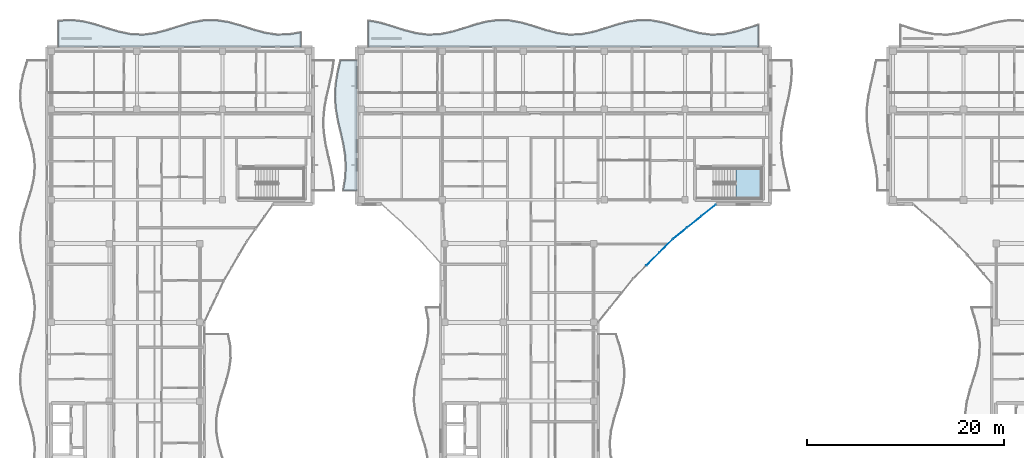
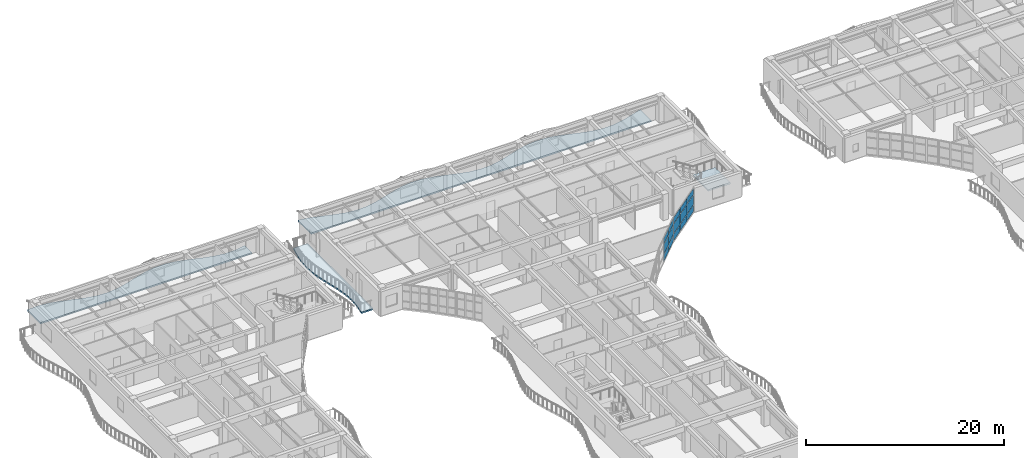
# One storey, part 40 of 89: 15 plates, 4 slabs, 3 elements without a shape of their own.
"""IFC4 building model written with IfcOpenShell, lengths in metres."""

from ifc_helpers import new_model, si_unit, direction, frame, origin, origin_2d, place, context, subcontext, project, spatial, polyline, rectangle, outline, extrude, material, layer, layer_set, type_object, element, aggregate, save


model = new_model("IFC4")

# Units and contexts
model_context = context("Model", 3, precision=1e-05, world=origin(), true_north=direction((0.0, 1.0)))
body_context = subcontext(model_context, "Body", "Model", "MODEL_VIEW")
ifc_project = project(units=[si_unit("LENGTHUNIT", "METRE"), si_unit("AREAUNIT", "SQUARE_METRE"), si_unit("VOLUMEUNIT", "CUBIC_METRE"), si_unit("PLANEANGLEUNIT", "RADIAN"), si_unit("MASSUNIT", "GRAM", prefix="KILO")], contexts=[model_context])

# Site, building, storey
site_placement = place(None, origin())
site = spatial("IfcSite", under=ifc_project, at=site_placement, CompositionType="ELEMENT")
building_placement = place(site_placement, origin())
building = spatial("IfcBuilding", under=site, at=building_placement, Name="Keldmere Railside Commons", CompositionType="ELEMENT")
storey_placement = place(building_placement, frame((0.0, 0.0, 7.360107421875)))
storey = spatial("IfcBuildingStorey", under=building, at=storey_placement, Name="L02", CompositionType="ELEMENT", Elevation=7.360107421875)

# Curtain wall, plates
ifc_material_1 = material(Name="Thermally Broken Aluminium", Category="aluminium")
ifc_layer_1 = layer(ifc_material_1, 0.159912109375, Name="Court Chord Wintergarden CW 5400x2850")
ifc_layer_set_1 = layer_set([ifc_layer_1], Name="Thermally Broken Aluminium")
curtain_wall_type_1 = type_object("IfcCurtainWallType", Name="Court Chord Wintergarden CW 5400x2850", PredefinedType="NOTDEFINED", material=ifc_layer_set_1)
curtain_wall_1_placement = place(storey_placement, origin())
curtain_wall_1 = element("IfcCurtainWall", 1, at=curtain_wall_1_placement, inside=storey, type_object=curtain_wall_type_1, Name="CW-13 CW-L02-038", PredefinedType="NOTDEFINED")
ifc_material_2 = material(Name="Low-E Insulated Double Glazing", Category="glass")
ifc_layer_2 = layer(ifc_material_2, 0.031982421875, Name="Clerestory Solar-Control Vision Panel 32")
ifc_layer_set_2 = layer_set([ifc_layer_2], Name="Low-E Insulated Double Glazing")
plate_type_1 = type_object("IfcPlateType", Name="Clerestory Solar-Control Vision Panel 32", PredefinedType="CURTAIN_PANEL", material=ifc_layer_set_2)
plate_1_placement = place(storey_placement, frame((70.88916015625, 95.76513671875, 0.06494140625), z_axis=(0.0, 0.0, 1.0), x_axis=(-0.707106781187, -0.707106781187, 0.0)))
plate_1 = element("IfcPlate", 2, at=plate_1_placement, type_object=plate_type_1, Name="CW-13 panel 1.1", PredefinedType="CURTAIN_PANEL", context=body_context, shape_type="SweptSolid", body=[
    extrude(rectangle(XDim=1.795654296875, YDim=0.031982421875, at=origin_2d()), origin(), (0.0, 0.0, 1.0), 0.802490234375),
])
plate_2_placement = place(storey_placement, frame((70.88916015625, 95.76513671875, 0.932373046875), z_axis=(0.0, 0.0, 1.0), x_axis=(-0.707106781187, -0.707106781187, 0.0)))
plate_2 = element("IfcPlate", 3, at=plate_2_placement, type_object=plate_type_1, Name="CW-13 panel 1.2", PredefinedType="CURTAIN_PANEL", context=body_context, shape_type="SweptSolid", body=[
    extrude(rectangle(XDim=1.795654296875, YDim=0.031982421875, at=origin_2d()), origin(), (0.0, 0.0, 1.0), 1.18505859375),
])
plate_3_placement = place(storey_placement, frame((70.88916015625, 95.76513671875, 2.182373046875), z_axis=(0.0, 0.0, 1.0), x_axis=(-0.707106781187, -0.707106781187, 0.0)))
plate_3 = element("IfcPlate", 4, at=plate_3_placement, type_object=plate_type_1, Name="CW-13 panel 1.3", PredefinedType="CURTAIN_PANEL", context=body_context, shape_type="SweptSolid", body=[
    extrude(rectangle(XDim=1.795654296875, YDim=0.031982421875, at=origin_2d()), origin(), (0.0, 0.0, 1.0), 0.732421875),
])
plate_4_placement = place(storey_placement, frame((69.56201171875, 94.43798828125, 0.06494140625), z_axis=(0.0, 0.0, 1.0), x_axis=(-0.707106781187, -0.707106781187, 0.0)))
plate_4 = element("IfcPlate", 5, at=plate_4_placement, type_object=plate_type_1, Name="CW-13 panel 2.1", PredefinedType="CURTAIN_PANEL", context=body_context, shape_type="SweptSolid", body=[
    extrude(rectangle(XDim=1.828125, YDim=0.031982421875, at=origin_2d()), origin(), (0.0, 0.0, 1.0), 0.802490234375),
])
plate_5_placement = place(storey_placement, frame((69.56201171875, 94.43798828125, 0.932373046875), z_axis=(0.0, 0.0, 1.0), x_axis=(-0.707106781187, -0.707106781187, 0.0)))
plate_5 = element("IfcPlate", 6, at=plate_5_placement, type_object=plate_type_1, Name="CW-13 panel 2.2", PredefinedType="CURTAIN_PANEL", context=body_context, shape_type="SweptSolid", body=[
    extrude(rectangle(XDim=1.828125, YDim=0.031982421875, at=origin_2d()), origin(), (0.0, 0.0, 1.0), 1.18505859375),
])
plate_6_placement = place(storey_placement, frame((69.56201171875, 94.43798828125, 2.182373046875), z_axis=(0.0, 0.0, 1.0), x_axis=(-0.707106781187, -0.707106781187, 0.0)))
plate_6 = element("IfcPlate", 7, at=plate_6_placement, type_object=plate_type_1, Name="CW-13 panel 2.3", PredefinedType="CURTAIN_PANEL", context=body_context, shape_type="SweptSolid", body=[
    extrude(rectangle(XDim=1.828125, YDim=0.031982421875, at=origin_2d()), origin(), (0.0, 0.0, 1.0), 0.732421875),
])
aggregate(curtain_wall_1, [plate_1, plate_2, plate_3, plate_4, plate_5, plate_6])

# Stair, slab
ifc_material_3 = material(Name="Concrete H-30 (C30/37)", Category="concrete")
stair_type = type_object("IfcStairType", Name="Residential Core Dogleg Stair 1450", PredefinedType="HALF_TURN_STAIR", material=ifc_material_3)
stair_placement = place(storey_placement, origin())
stair = element("IfcStair", 8, at=stair_placement, inside=storey, type_object=stair_type, Name="L02 Block C Secondary Escape Stair 2", PredefinedType="HALF_TURN_STAIR")
ifc_layer_3 = layer(ifc_material_3, 0.199951171875, Name="Enclosed Stair Landing Slab 200")
ifc_layer_set_3 = layer_set([ifc_layer_3], Name="Concrete H-30 (C30/37)")
slab_type_1 = type_object("IfcSlabType", Name="Enclosed Stair Landing Slab 200", PredefinedType="LANDING", material=ifc_layer_set_3)
slab_1_placement = place(storey_placement, frame((0.0, 0.0, 1.39990234375)))
slab_1 = element("IfcSlab", 9, at=slab_1_placement, type_object=slab_type_1, Name="ST-C2 landing 1", PredefinedType="LANDING", context=body_context, shape_type="SweptSolid", body=[
    extrude(outline(polyline([(78.02001953125, 100.60009765625), (80.60009765625, 100.60009765625), (80.60009765625, 103.64990234375), (78.02001953125, 103.64990234375), (78.02001953125, 100.60009765625)])), origin(), (0.0, 0.0, 1.0), 0.199951171875),
])
aggregate(stair, [slab_1])

# Curtain wall, plates
ifc_layer_4 = layer(ifc_material_1, 0.159912109375, Name="Court Chord Wintergarden CW 4800x2850")
ifc_layer_set_4 = layer_set([ifc_layer_4], Name="Thermally Broken Aluminium")
curtain_wall_type_2 = type_object("IfcCurtainWallType", Name="Court Chord Wintergarden CW 4800x2850", PredefinedType="NOTDEFINED", material=ifc_layer_set_4)
curtain_wall_2_placement = place(storey_placement, origin())
curtain_wall_2 = element("IfcCurtainWall", 10, at=curtain_wall_2_placement, inside=storey, type_object=curtain_wall_type_2, Name="CW-12 CW-L02-039", PredefinedType="NOTDEFINED")
ifc_layer_5 = layer(ifc_material_2, 0.028076171875, Name="Low-E Vision Glazing Panel 28")
ifc_layer_set_5 = layer_set([ifc_layer_5], Name="Low-E Insulated Double Glazing")
plate_type_2 = type_object("IfcPlateType", Name="Low-E Vision Glazing Panel 28", PredefinedType="CURTAIN_PANEL", material=ifc_layer_set_5)
plate_7_placement = place(storey_placement, frame((75.2490234375, 99.3974609375, 0.06494140625), z_axis=(0.0, 0.0, 1.0), x_axis=(-0.780009172323, -0.625768080915, 0.0)))
plate_7 = element("IfcPlate", 11, at=plate_7_placement, type_object=plate_type_2, Name="CW-12 panel 1.1", PredefinedType="CURTAIN_PANEL", context=body_context, shape_type="SweptSolid", body=[
    extrude(rectangle(XDim=1.795654296875, YDim=0.028076171875, at=origin_2d()), origin(), (0.0, 0.0, 1.0), 0.802490234375),
])
plate_8_placement = place(storey_placement, frame((75.2490234375, 99.3974609375, 0.932373046875), z_axis=(0.0, 0.0, 1.0), x_axis=(-0.780009172323, -0.625768080915, 0.0)))
plate_8 = element("IfcPlate", 12, at=plate_8_placement, type_object=plate_type_2, Name="CW-12 panel 1.2", PredefinedType="CURTAIN_PANEL", context=body_context, shape_type="SweptSolid", body=[
    extrude(rectangle(XDim=1.795654296875, YDim=0.028076171875, at=origin_2d()), origin(), (0.0, 0.0, 1.0), 1.18505859375),
])
plate_9_placement = place(storey_placement, frame((75.2490234375, 99.3974609375, 2.182373046875), z_axis=(0.0, 0.0, 1.0), x_axis=(-0.780009172323, -0.625768080915, 0.0)))
plate_9 = element("IfcPlate", 13, at=plate_9_placement, type_object=plate_type_2, Name="CW-12 panel 1.3", PredefinedType="CURTAIN_PANEL", context=body_context, shape_type="SweptSolid", body=[
    extrude(rectangle(XDim=1.795654296875, YDim=0.028076171875, at=origin_2d()), origin(), (0.0, 0.0, 1.0), 0.732421875),
])
plate_10_placement = place(storey_placement, frame((73.784912109375, 98.222900390625, 0.06494140625), z_axis=(0.0, 0.0, 1.0), x_axis=(-0.780009172323, -0.625768080915, 0.0)))
plate_10 = element("IfcPlate", 14, at=plate_10_placement, type_object=plate_type_2, Name="CW-12 panel 2.1", PredefinedType="CURTAIN_PANEL", context=body_context, shape_type="SweptSolid", body=[
    extrude(rectangle(XDim=1.828125, YDim=0.028076171875, at=origin_2d()), origin(), (0.0, 0.0, 1.0), 0.802490234375),
])
plate_11_placement = place(storey_placement, frame((73.784912109375, 98.222900390625, 0.932373046875), z_axis=(0.0, 0.0, 1.0), x_axis=(-0.780009172323, -0.625768080915, 0.0)))
plate_11 = element("IfcPlate", 15, at=plate_11_placement, type_object=plate_type_2, Name="CW-12 panel 2.2", PredefinedType="CURTAIN_PANEL", context=body_context, shape_type="SweptSolid", body=[
    extrude(rectangle(XDim=1.828125, YDim=0.028076171875, at=origin_2d()), origin(), (0.0, 0.0, 1.0), 1.18505859375),
])
plate_12_placement = place(storey_placement, frame((73.784912109375, 98.222900390625, 2.182373046875), z_axis=(0.0, 0.0, 1.0), x_axis=(-0.780009172323, -0.625768080915, 0.0)))
plate_12 = element("IfcPlate", 16, at=plate_12_placement, type_object=plate_type_2, Name="CW-12 panel 2.3", PredefinedType="CURTAIN_PANEL", context=body_context, shape_type="SweptSolid", body=[
    extrude(rectangle(XDim=1.828125, YDim=0.028076171875, at=origin_2d()), origin(), (0.0, 0.0, 1.0), 0.732421875),
])
plate_13_placement = place(storey_placement, frame((72.321044921875, 97.048583984375, 0.06494140625), z_axis=(0.0, 0.0, 1.0), x_axis=(-0.780009172323, -0.625768080915, 0.0)))
plate_13 = element("IfcPlate", 17, at=plate_13_placement, type_object=plate_type_2, Name="CW-12 panel 3.1", PredefinedType="CURTAIN_PANEL", context=body_context, shape_type="SweptSolid", body=[
    extrude(rectangle(XDim=1.795654296875, YDim=0.028076171875, at=origin_2d()), origin(), (0.0, 0.0, 1.0), 0.802490234375),
])
plate_14_placement = place(storey_placement, frame((72.321044921875, 97.048583984375, 0.932373046875), z_axis=(0.0, 0.0, 1.0), x_axis=(-0.780009172323, -0.625768080915, 0.0)))
plate_14 = element("IfcPlate", 18, at=plate_14_placement, type_object=plate_type_2, Name="CW-12 panel 3.2", PredefinedType="CURTAIN_PANEL", context=body_context, shape_type="SweptSolid", body=[
    extrude(rectangle(XDim=1.795654296875, YDim=0.028076171875, at=origin_2d()), origin(), (0.0, 0.0, 1.0), 1.18505859375),
])
plate_15_placement = place(storey_placement, frame((72.321044921875, 97.048583984375, 2.182373046875), z_axis=(0.0, 0.0, 1.0), x_axis=(-0.780009172323, -0.625768080915, 0.0)))
plate_15 = element("IfcPlate", 19, at=plate_15_placement, type_object=plate_type_2, Name="CW-12 panel 3.3", PredefinedType="CURTAIN_PANEL", context=body_context, shape_type="SweptSolid", body=[
    extrude(rectangle(XDim=1.795654296875, YDim=0.028076171875, at=origin_2d()), origin(), (0.0, 0.0, 1.0), 0.732421875),
])
aggregate(curtain_wall_2, [plate_7, plate_8, plate_9, plate_10, plate_11, plate_12, plate_13, plate_14, plate_15])

# Slabs
ifc_material_4 = material(Name="White Precast Concrete H-35 (C35/45)", Category="concrete")
ifc_layer_6 = layer(ifc_material_4, 0.179931640625, Name="Sinusoidal Wave Balcony Slab 180")
ifc_layer_set_6 = layer_set([ifc_layer_6], Name="White Precast Concrete H-35 (C35/45)")
slab_type_2 = type_object("IfcSlabType", Name="Sinusoidal Wave Balcony Slab 180", PredefinedType="FLOOR", material=ifc_layer_set_6)
slab_2_placement = place(storey_placement, frame((0.0, 0.0, -0.18017578125)))
element("IfcSlab", 20, at=slab_2_placement, inside=storey, type_object=slab_type_2, Name="WB-1 D L02 N Wave Balcony", PredefinedType="FLOOR", context=body_context, shape_type="SweptSolid", body=[
    extrude(outline(polyline([(9.199951171875, 116.0), (10.429931640625, 116.0), (11.659912109375, 116.0), (12.889892578125, 116.0), (14.1201171875, 116.0), (15.35009765625, 116.0), (16.580078125, 116.0), (17.81005859375, 116.0), (19.0400390625, 116.0), (20.27001953125, 116.0), (21.5, 116.0), (22.72998046875, 116.0), (23.9599609375, 116.0), (25.18994140625, 116.0), (26.419921875, 116.0), (27.64990234375, 116.0), (28.8798828125, 116.0), (30.110107421875, 116.0), (31.340087890625, 116.0), (32.570068359375, 116.0), (33.800048828125, 116.0), (33.800048828125, 117.448486328125), (32.570068359375, 117.23388671875), (31.340087890625, 117.220703125), (30.110107421875, 117.41259765625), (28.8798828125, 117.755615234375), (27.64990234375, 118.1533203125), (26.419921875, 118.493896484375), (25.18994140625, 118.681396484375), (23.9599609375, 118.663330078125), (22.72998046875, 118.44482421875), (21.5, 118.0869140625), (20.27001953125, 117.690673828125), (19.0400390625, 117.3671875), (17.81005859375, 117.207763671875), (16.580078125, 117.257080078125), (15.35009765625, 117.5009765625), (14.1201171875, 117.871337890625), (12.889892578125, 118.263671875), (11.659912109375, 118.56787109375), (10.429931640625, 118.698486328125), (9.199951171875, 118.618408203125), (9.199951171875, 116.0)])), origin(), (0.0, 0.0, 1.0), 0.18017578125),
])
slab_3_placement = place(storey_placement, frame((0.0, 0.0, -0.18017578125)))
element("IfcSlab", 21, at=slab_3_placement, inside=storey, type_object=slab_type_2, Name="WB-1 C L02 N Wave Balcony", PredefinedType="FLOOR", context=body_context, shape_type="SweptSolid", body=[
    extrude(outline(polyline([(40.699951171875, 116.0), (41.89990234375, 116.0), (43.10009765625, 116.0), (44.300048828125, 116.0), (45.5, 116.0), (46.699951171875, 116.0), (47.89990234375, 116.0), (49.10009765625, 116.0), (50.300048828125, 116.0), (51.5, 116.0), (52.699951171875, 116.0), (53.89990234375, 116.0), (55.10009765625, 116.0), (56.300048828125, 116.0), (57.5, 116.0), (58.699951171875, 116.0), (59.89990234375, 116.0), (61.10009765625, 116.0), (62.300048828125, 116.0), (63.5, 116.0), (64.699951171875, 116.0), (65.89990234375, 116.0), (67.10009765625, 116.0), (68.300048828125, 116.0), (69.5, 116.0), (70.699951171875, 116.0), (71.89990234375, 116.0), (73.10009765625, 116.0), (74.300048828125, 116.0), (75.5, 116.0), (76.699951171875, 116.0), (77.89990234375, 116.0), (79.10009765625, 116.0), (80.300048828125, 116.0), (80.300048828125, 118.2275390625), (79.10009765625, 117.842041015625), (77.89990234375, 117.4853515625), (76.699951171875, 117.25341796875), (75.5, 117.207763671875), (74.300048828125, 117.361083984375), (73.10009765625, 117.67236328125), (71.89990234375, 118.057861328125), (70.699951171875, 118.41455078125), (69.5, 118.646728515625), (68.300048828125, 118.692138671875), (67.10009765625, 118.538818359375), (65.89990234375, 118.2275390625), (64.699951171875, 117.842041015625), (63.5, 117.4853515625), (62.300048828125, 117.25341796875), (61.10009765625, 117.207763671875), (59.89990234375, 117.361083984375), (58.699951171875, 117.67236328125), (57.5, 118.057861328125), (56.300048828125, 118.41455078125), (55.10009765625, 118.646728515625), (53.89990234375, 118.692138671875), (52.699951171875, 118.538818359375), (51.5, 118.2275390625), (50.300048828125, 117.842041015625), (49.10009765625, 117.4853515625), (47.89990234375, 117.25341796875), (46.699951171875, 117.207763671875), (45.5, 117.361083984375), (44.300048828125, 117.67236328125), (43.10009765625, 118.057861328125), (41.89990234375, 118.41455078125), (40.699951171875, 118.646728515625), (40.699951171875, 116.0)])), origin(), (0.0, 0.0, 1.0), 0.18017578125),
])
slab_4_placement = place(storey_placement, frame((0.0, 0.0, -0.18017578125)))
element("IfcSlab", 22, at=slab_4_placement, inside=storey, type_object=slab_type_2, Name="WB-1 C L02 WW Wave Balcony", PredefinedType="FLOOR", context=body_context, shape_type="SweptSolid", body=[
    extrude(outline(polyline([(39.5, 101.39990234375), (39.5, 102.60009765625), (39.5, 103.800048828125), (39.5, 105.0), (39.5, 106.199951171875), (39.5, 107.39990234375), (39.5, 108.60009765625), (39.5, 109.800048828125), (39.5, 111.0), (39.5, 112.199951171875), (39.5, 113.39990234375), (39.5, 114.60009765625), (37.841552734375, 114.60009765625), (37.56787109375, 113.39990234375), (37.36962890625, 112.199951171875), (37.300048828125, 111.0), (37.3779296875, 109.800048828125), (37.582275390625, 108.60009765625), (37.8583984375, 107.39990234375), (38.132080078125, 106.199951171875), (38.330322265625, 105.0), (38.39990234375, 103.800048828125), (38.322021484375, 102.60009765625), (38.11767578125, 101.39990234375), (39.5, 101.39990234375)])), origin(), (0.0, 0.0, 1.0), 0.18017578125),
])

save(model, "model.ifc")
